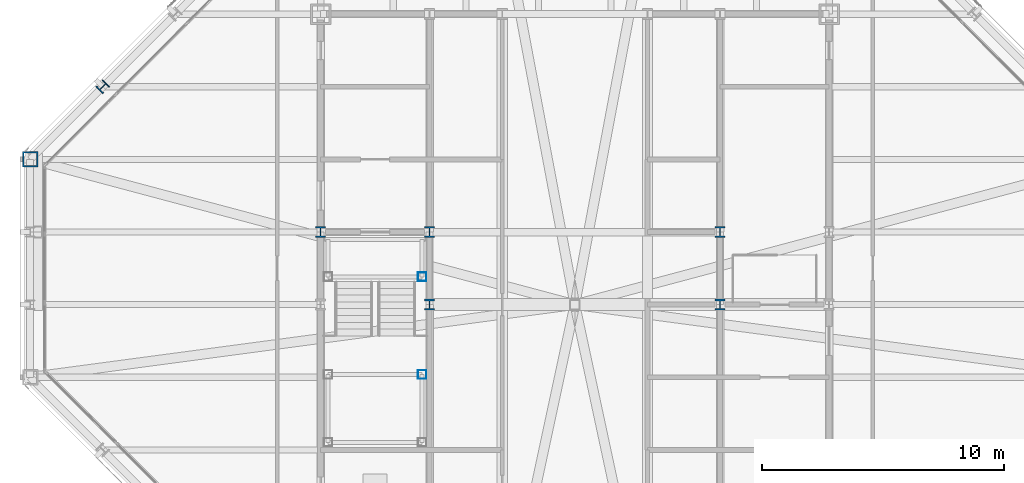
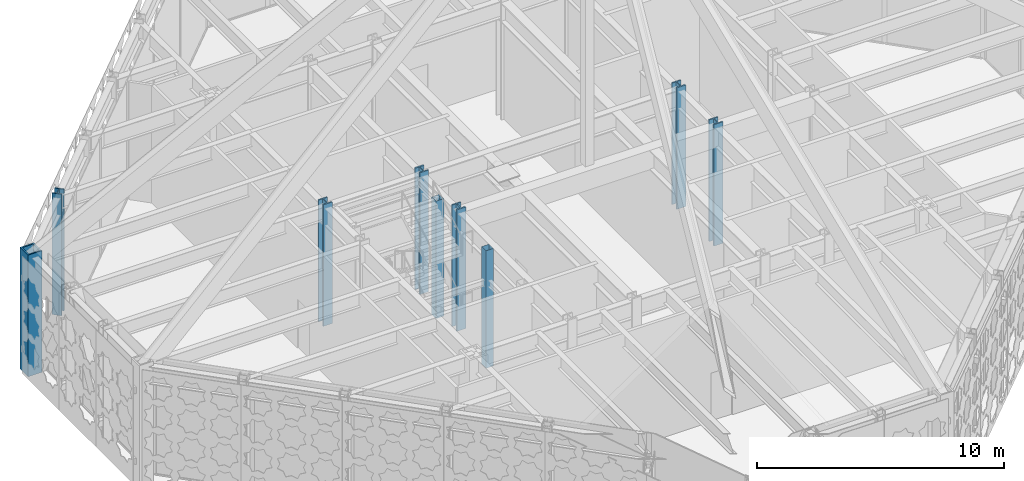
# One storey, part 2 of 30: 9 columns.
"""IFC4 building model written with IfcOpenShell, lengths in metres."""

from ifc_helpers import new_model, si_unit, direction, frame, origin, origin_2d, place, context, subcontext, project, spatial, hollow_rectangle, i_section, extrude, material, material_profile, profile_set, type_object, element, save


model = new_model("IFC4")

# Units and contexts
model_context = context("Model", 3, precision=1e-05, world=origin(), true_north=direction((0.0, 1.0)))
body_context = subcontext(model_context, "Body", "Model", "MODEL_VIEW")
ifc_project = project(units=[si_unit("LENGTHUNIT", "METRE"), si_unit("AREAUNIT", "SQUARE_METRE"), si_unit("VOLUMEUNIT", "CUBIC_METRE"), si_unit("PLANEANGLEUNIT", "RADIAN"), si_unit("MASSUNIT", "GRAM", prefix="KILO")], contexts=[model_context])

# Site, building, storey
site_placement = place(None, origin())
site = spatial("IfcSite", under=ifc_project, at=site_placement, CompositionType="ELEMENT")
building_placement = place(site_placement, origin())
building = spatial("IfcBuilding", under=site, at=building_placement, Name="Chuquiago Exchange Tower", CompositionType="ELEMENT")
storey_placement = place(building_placement, frame((0.0, 0.0, 306.0)))
storey = spatial("IfcBuildingStorey", under=building, at=storey_placement, Name="L68", CompositionType="ELEMENT", Elevation=306.0)

# Columns
ifc_material_1 = material(Name="Steel ASTM A992", Category="steel")
ifc_material_profile_1 = material_profile(ifc_material_1, i_section(OverallWidth=0.41650390625, OverallDepth=0.444580078125, WebThickness=0.0390625, FlangeThickness=0.062744140625, at=origin_2d()), Name="W14X342")
ifc_profile_set_1 = profile_set([ifc_material_profile_1], Name="Steel ASTM A992")
column_type_1 = type_object("IfcColumnType", Name="CC9 W14X342", PredefinedType="COLUMN", material=ifc_profile_set_1)
for number, where, z_axis, x_axis, name in (
    (1, (12.0, 24.0, 0.0), (0.0, 0.0, 1.0), (1.0, 0.0, 0.0), "CCOL-L68-12_24"),
    (2, (16.5, 21.0, 0.0), (0.0, 0.0, 1.0), (1.0, 0.0, 0.0), "CCOL-L68-16.5_21"),
    (3, (16.5, 24.0, 0.0), (0.0, 0.0, 1.0), (1.0, 0.0, 0.0), "CCOL-L68-16.5_24"),
    (4, (28.5, 21.0, 0.0), (0.0, 0.0, 1.0), (1.0, 0.0, 0.0), "CCOL-L68-28.5_21"),
    (5, (28.5, 24.0, 0.0), (0.0, 0.0, 1.0), (1.0, 0.0, 0.0), "CCOL-L68-28.5_24"),
):
    element("IfcColumn", number, at=place(storey_placement, frame(where, z_axis=z_axis, x_axis=x_axis)), inside=storey, type_object=column_type_1, Name=name, PredefinedType="COLUMN", context=body_context, shape_type="SweptSolid", body=[
        extrude(i_section(OverallWidth=0.41650390625, OverallDepth=0.444580078125, WebThickness=0.0390625, FlangeThickness=0.062744140625, at=origin_2d()), origin(), (0.0, 0.0, 1.0), 6.0),
    ])
ifc_material_2 = material(Name="Steel ASTM A992", Category="steel")
ifc_material_profile_2 = material_profile(ifc_material_2, i_section(OverallWidth=0.40380859375, OverallDepth=0.406494140625, WebThickness=0.027099609375, FlangeThickness=0.043701171875, at=origin_2d()), Name="W14X233")
ifc_profile_set_2 = profile_set([ifc_material_profile_2], Name="Steel ASTM A992")
column_type_2 = type_object("IfcColumnType", Name="CK8 W14X233", PredefinedType="COLUMN", material=ifc_profile_set_2)
column_1_placement = place(storey_placement, frame((3.0, 30.0, 0.0), z_axis=(0.0, 0.0, 1.0), x_axis=(-0.707106781187, 0.707106781187, 0.0)))
element("IfcColumn", 6, at=column_1_placement, inside=storey, type_object=column_type_2, Name="COL-L68-3_30", PredefinedType="COLUMN", context=body_context, shape_type="SweptSolid", body=[
    extrude(i_section(OverallWidth=0.40380859375, OverallDepth=0.406494140625, WebThickness=0.027099609375, FlangeThickness=0.043701171875, at=origin_2d()), origin(), (0.0, 0.0, 1.0), 6.0),
])
ifc_material_3 = material(Name="Steel ASTM A572 Grade 50", Category="steel")
ifc_material_profile_3 = material_profile(ifc_material_3, hollow_rectangle(XDim=0.64990234375, YDim=0.64990234375, WallThickness=0.06494140625, at=origin_2d()), Name="BOX650X650X65")
ifc_profile_set_3 = profile_set([ifc_material_profile_3], Name="Steel ASTM A572 Grade 50")
column_type_3 = type_object("IfcColumnType", Name="CN2 BOX650X650X65", PredefinedType="COLUMN", material=ifc_profile_set_3)
column_2_placement = place(storey_placement, frame((0.0, 27.0, 0.0), z_axis=(0.0, 0.0, 1.0), x_axis=(-1.0, 0.0, 0.0)))
element("IfcColumn", 7, at=column_2_placement, inside=storey, type_object=column_type_3, Name="COL-L68-0_27", PredefinedType="COLUMN", context=body_context, shape_type="SweptSolid", body=[
    extrude(hollow_rectangle(XDim=0.64990234375, YDim=0.64990234375, WallThickness=0.06494140625, at=origin_2d()), origin(), (0.0, 0.0, 1.0), 6.0),
])
ifc_material_4 = material(Name="Steel ASTM A500 Grade C", Category="steel")
ifc_material_profile_4 = material_profile(ifc_material_4, hollow_rectangle(XDim=0.355712890625, YDim=0.355712890625, WallThickness=0.0087890625, at=origin_2d()), Name="HSS14X14X3/8")
ifc_profile_set_4 = profile_set([ifc_material_profile_4], Name="Steel ASTM A500 Grade C")
column_type_4 = type_object("IfcColumnType", Name="PT1 HSS14X14X3/8", PredefinedType="COLUMN", material=ifc_profile_set_4)
for number, where, z_axis, x_axis, name in (
    (8, (16.18994140625, 18.110107421875, 0.0), (0.0, 0.0, 1.0), (1.0, 0.0, 0.0), "Stair ST1 L68 landing post"),
    (9, (16.18994140625, 22.14990234375, 0.0), (0.0, 0.0, 1.0), (1.0, 0.0, 0.0), "Stair ST1 L68 landing post"),
):
    element("IfcColumn", number, at=place(storey_placement, frame(where, z_axis=z_axis, x_axis=x_axis)), inside=storey, type_object=column_type_4, Name=name, PredefinedType="COLUMN", context=body_context, shape_type="SweptSolid", body=[
        extrude(hollow_rectangle(XDim=0.355712890625, YDim=0.355712890625, WallThickness=0.0087890625, at=origin_2d()), origin(), (0.0, 0.0, 1.0), 5.800048828125),
    ])

save(model, "model.ifc")
